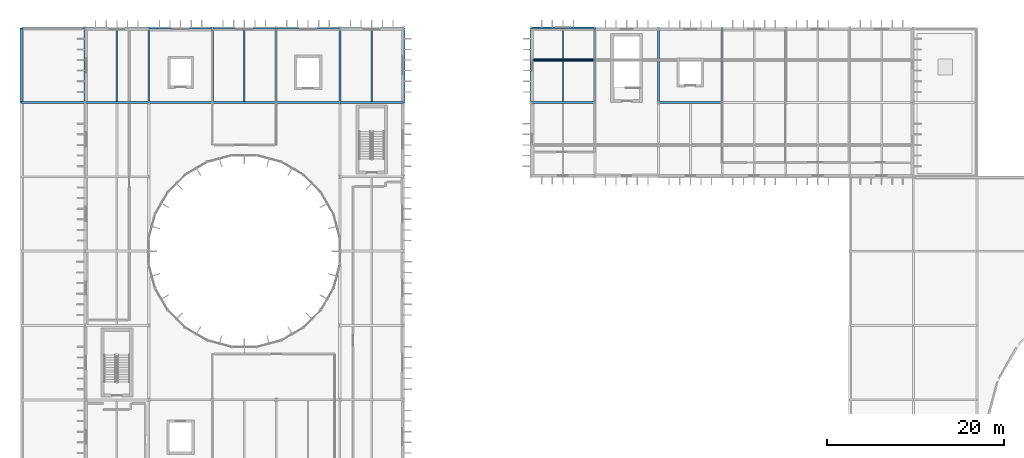
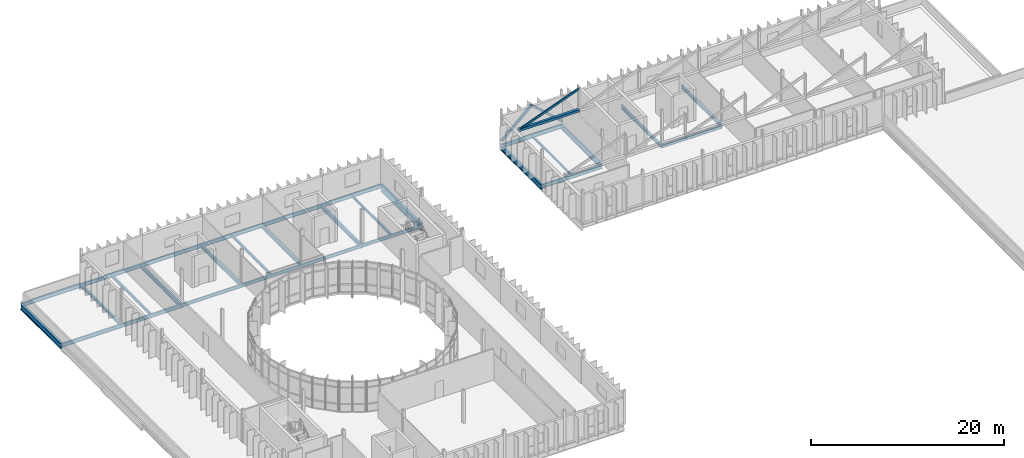
# One storey, part 24 of 52: 30 beams, 4 members.
"""IFC4 building model written with IfcOpenShell, lengths in metres."""

from ifc_helpers import new_model, si_unit, direction, frame, origin, origin_2d, place, context, subcontext, project, spatial, hollow_rectangle, i_section, extrude, material, material_profile, profile_set, type_object, element, save


model = new_model("IFC4")

# Units and contexts
model_context = context("Model", 3, precision=1e-05, world=origin(), true_north=direction((0.0, 1.0)))
body_context = subcontext(model_context, "Body", "Model", "MODEL_VIEW")
ifc_project = project(units=[si_unit("LENGTHUNIT", "METRE"), si_unit("AREAUNIT", "SQUARE_METRE"), si_unit("VOLUMEUNIT", "CUBIC_METRE"), si_unit("PLANEANGLEUNIT", "RADIAN"), si_unit("MASSUNIT", "GRAM", prefix="KILO")], contexts=[model_context])

# Site, building, storey
site_placement = place(None, origin())
site = spatial("IfcSite", under=ifc_project, at=site_placement, CompositionType="ELEMENT")
building_placement = place(site_placement, origin())
building = spatial("IfcBuilding", under=site, at=building_placement, Name="Qelthora Terrace Specialist Clinic", CompositionType="ELEMENT")
storey_placement = place(building_placement, frame((0.0, 0.0, 17.39990234375)))
storey = spatial("IfcBuildingStorey", under=building, at=storey_placement, Name="L04", CompositionType="ELEMENT", Elevation=17.39990234375)

# Beams
ifc_material = material(Name="Steel S355", Category="steel")
ifc_material_profile_1 = material_profile(ifc_material, i_section(OverallWidth=0.178955078125, OverallDepth=0.409912109375, WebThickness=0.0087890625, FlangeThickness=0.014404296875, FilletRadius=0.011962890625, at=origin_2d()), Name="W410X67")
ifc_profile_set_1 = profile_set([ifc_material_profile_1], Name="Steel S355")
beam_type_1 = type_object("IfcBeamType", Name="BM-W410X67", PredefinedType="BEAM", material=ifc_profile_set_1)
for number, where, z_axis, x_axis, name in (
    (1, (21.60009765625, 100.800048828125, -0.454833984375), (1.0, 0.0, 0.0), (0.0, 1.0, 0.0), "Girder BMX-L04-1186"),
    (2, (36.0, 100.800048828125, -0.454833984375), (1.0, 0.0, 0.0), (0.0, 1.0, 0.0), "Girder BMX-L04-1188"),
    (3, (72.0, 100.800048828125, -0.454833984375), (1.0, 0.0, 0.0), (0.0, 1.0, 0.0), "Girder BMX-L04-1190"),
):
    element("IfcBeam", number, at=place(storey_placement, frame(where, z_axis=z_axis, x_axis=x_axis)), inside=storey, type_object=beam_type_1, Name=name, PredefinedType="BEAM", context=body_context, shape_type="SweptSolid", body=[
        extrude(i_section(OverallWidth=0.178955078125, OverallDepth=0.409912109375, WebThickness=0.0087890625, FlangeThickness=0.014404296875, FilletRadius=0.011962890625, at=origin_2d()), origin(), (0.0, 0.0, 1.0), 7.199951171875),
    ])
ifc_material_profile_2 = material_profile(ifc_material, i_section(OverallWidth=0.179931640625, OverallDepth=0.4130859375, WebThickness=0.009765625, FlangeThickness=0.01611328125, FilletRadius=0.011962890625, at=origin_2d()), Name="W410X75")
ifc_profile_set_2 = profile_set([ifc_material_profile_2], Name="Steel S355")
beam_type_2 = type_object("IfcBeamType", Name="BM-W410X75", PredefinedType="BEAM", material=ifc_profile_set_2)
beam_1_placement = place(storey_placement, frame((14.39990234375, 100.800048828125, -0.456298828125), z_axis=(1.0, 0.0, 0.0), x_axis=(0.0, 1.0, 0.0)))
element("IfcBeam", 4, at=beam_1_placement, inside=storey, type_object=beam_type_2, Name="Girder BMX-L04-1185", PredefinedType="BEAM", context=body_context, shape_type="SweptSolid", body=[
    extrude(i_section(OverallWidth=0.179931640625, OverallDepth=0.4130859375, WebThickness=0.009765625, FlangeThickness=0.01611328125, FilletRadius=0.011962890625, at=origin_2d()), origin(), (0.0, 0.0, 1.0), 7.2001953125),
])
beam_2_placement = place(storey_placement, frame((28.800048828125, 100.800048828125, -0.456298828125), z_axis=(1.0, 0.0, 0.0), x_axis=(0.0, 1.0, 0.0)))
element("IfcBeam", 5, at=beam_2_placement, inside=storey, type_object=beam_type_2, Name="Girder BMX-L04-1187", PredefinedType="BEAM", context=body_context, shape_type="SweptSolid", body=[
    extrude(i_section(OverallWidth=0.179931640625, OverallDepth=0.4130859375, WebThickness=0.009765625, FlangeThickness=0.01611328125, FilletRadius=0.011962890625, at=origin_2d()), origin(), (0.0, 0.0, 1.0), 7.199951171875),
])
for number, where, z_axis, x_axis, name in (
    (6, (7.199951171875, 100.800048828125, -0.456298828125), (0.0, 1.0, 0.0), (-1.0, 0.0, 0.0), "Girder BMY-L04-1219"),
    (7, (28.800048828125, 100.800048828125, -0.456298828125), (0.0, 1.0, 0.0), (-1.0, 0.0, 0.0), "Girder BMY-L04-1229"),
    (8, (79.199951171875, 100.800048828125, -0.456298828125), (0.0, 1.0, 0.0), (-1.0, 0.0, 0.0), "Girder BMY-L04-1249"),
):
    element("IfcBeam", number, at=place(storey_placement, frame(where, z_axis=z_axis, x_axis=x_axis)), inside=storey, type_object=beam_type_2, Name=name, PredefinedType="BEAM", context=body_context, shape_type="SweptSolid", body=[
        extrude(i_section(OverallWidth=0.179931640625, OverallDepth=0.4130859375, WebThickness=0.009765625, FlangeThickness=0.01611328125, FilletRadius=0.011962890625, at=origin_2d()), origin(), (0.0, 0.0, 1.0), 8.39990234375),
    ])
ifc_material_profile_3 = material_profile(ifc_material, i_section(OverallWidth=0.19091796875, OverallDepth=0.4599609375, WebThickness=0.010009765625, FlangeThickness=0.01611328125, FilletRadius=0.012939453125, at=origin_2d()), Name="W460X82")
ifc_profile_set_3 = profile_set([ifc_material_profile_3], Name="Steel S355")
beam_type_3 = type_object("IfcBeamType", Name="BM-W460X82", PredefinedType="BEAM", material=ifc_profile_set_3)
for number, where, z_axis, x_axis, name in (
    (9, (7.199951171875, 100.800048828125, -0.47998046875), (1.0, 0.0, 0.0), (0.0, 1.0, 0.0), "Girder BMX-L04-1184"),
    (10, (57.60009765625, 100.800048828125, -0.47998046875), (1.0, 0.0, 0.0), (0.0, 1.0, 0.0), "Girder BMX-L04-1189"),
):
    element("IfcBeam", number, at=place(storey_placement, frame(where, z_axis=z_axis, x_axis=x_axis)), inside=storey, type_object=beam_type_3, Name=name, PredefinedType="BEAM", context=body_context, shape_type="SweptSolid", body=[
        extrude(i_section(OverallWidth=0.19091796875, OverallDepth=0.4599609375, WebThickness=0.010009765625, FlangeThickness=0.01611328125, FilletRadius=0.012939453125, at=origin_2d()), origin(), (0.0, 0.0, 1.0), 7.199951171875),
    ])
ifc_material_profile_4 = material_profile(ifc_material, i_section(OverallWidth=0.193115234375, OverallDepth=0.466064453125, WebThickness=0.011474609375, FlangeThickness=0.01904296875, FilletRadius=0.012939453125, at=origin_2d()), Name="W460X97")
ifc_profile_set_4 = profile_set([ifc_material_profile_4], Name="Steel S355")
beam_type_4 = type_object("IfcBeamType", Name="BM-W460X97", PredefinedType="BEAM", material=ifc_profile_set_4)
beam_3_placement = place(storey_placement, frame((0.0, 100.800048828125, -0.48291015625), z_axis=(1.0, 0.0, 0.0), x_axis=(0.0, 1.0, 0.0)))
element("IfcBeam", 11, at=beam_3_placement, inside=storey, type_object=beam_type_4, Name="Girder BMX-L04-1183", PredefinedType="BEAM", context=body_context, shape_type="SweptSolid", body=[
    extrude(i_section(OverallWidth=0.193115234375, OverallDepth=0.466064453125, WebThickness=0.011474609375, FlangeThickness=0.01904296875, FilletRadius=0.012939453125, at=origin_2d()), origin(), (0.0, 0.0, 1.0), 7.199951171875),
])
for number, where, z_axis, x_axis, name in (
    (12, (21.60009765625, 100.800048828125, -0.48291015625), (0.0, 1.0, 0.0), (-1.0, 0.0, 0.0), "Girder BMY-L04-1227"),
    (13, (72.0, 100.800048828125, -0.48291015625), (0.0, 1.0, 0.0), (-1.0, 0.0, 0.0), "Girder BMY-L04-1247"),
):
    element("IfcBeam", number, at=place(storey_placement, frame(where, z_axis=z_axis, x_axis=x_axis)), inside=storey, type_object=beam_type_4, Name=name, PredefinedType="BEAM", context=body_context, shape_type="SweptSolid", body=[
        extrude(i_section(OverallWidth=0.193115234375, OverallDepth=0.466064453125, WebThickness=0.011474609375, FlangeThickness=0.01904296875, FilletRadius=0.012939453125, at=origin_2d()), origin(), (0.0, 0.0, 1.0), 8.39990234375),
    ])
ifc_material_profile_5 = material_profile(ifc_material, i_section(OverallWidth=0.2119140625, OverallDepth=0.5439453125, WebThickness=0.01318359375, FlangeThickness=0.021240234375, FilletRadius=0.013916015625, at=origin_2d()), Name="W530X123")
ifc_profile_set_5 = profile_set([ifc_material_profile_5], Name="Steel S355")
beam_type_5 = type_object("IfcBeamType", Name="BM-W530X123", PredefinedType="BEAM", material=ifc_profile_set_5)
for number, where, z_axis, x_axis, name in (
    (14, (14.39990234375, 100.800048828125, -0.52197265625), (0.0, 1.0, 0.0), (-1.0, 0.0, 0.0), "Girder BMY-L04-1225"),
    (15, (36.0, 100.800048828125, -0.52197265625), (0.0, 1.0, 0.0), (-1.0, 0.0, 0.0), "Girder BMY-L04-1235"),
    (16, (64.800048828125, 100.800048828125, -0.52197265625), (0.0, 1.0, 0.0), (-1.0, 0.0, 0.0), "Girder BMY-L04-1245"),
):
    element("IfcBeam", number, at=place(storey_placement, frame(where, z_axis=z_axis, x_axis=x_axis)), inside=storey, type_object=beam_type_5, Name=name, PredefinedType="BEAM", context=body_context, shape_type="SweptSolid", body=[
        extrude(i_section(OverallWidth=0.2119140625, OverallDepth=0.5439453125, WebThickness=0.01318359375, FlangeThickness=0.021240234375, FilletRadius=0.013916015625, at=origin_2d()), origin(), (0.0, 0.0, 1.0), 8.39990234375),
    ])
ifc_material_profile_6 = material_profile(ifc_material, i_section(OverallWidth=0.256103515625, OverallDepth=0.693115234375, WebThickness=0.014404296875, FlangeThickness=0.023681640625, FilletRadius=0.01806640625, at=origin_2d()), Name="W690X170")
ifc_profile_set_6 = profile_set([ifc_material_profile_6], Name="Steel S355")
beam_type_6 = type_object("IfcBeamType", Name="BM-W690X170", PredefinedType="BEAM", material=ifc_profile_set_6)
for number, where, z_axis, x_axis, name in (
    (17, (0.0, 100.800048828125, -0.596435546875), (0.0, 1.0, 0.0), (-1.0, 0.0, 0.0), "Girder BMY-L04-1213"),
    (18, (57.60009765625, 100.800048828125, -0.596435546875), (0.0, 1.0, 0.0), (-1.0, 0.0, 0.0), "Girder BMY-L04-1243"),
):
    element("IfcBeam", number, at=place(storey_placement, frame(where, z_axis=z_axis, x_axis=x_axis)), inside=storey, type_object=beam_type_6, Name=name, PredefinedType="BEAM", context=body_context, shape_type="SweptSolid", body=[
        extrude(i_section(OverallWidth=0.256103515625, OverallDepth=0.693115234375, WebThickness=0.014404296875, FlangeThickness=0.023681640625, FilletRadius=0.01806640625, at=origin_2d()), origin(), (0.0, 0.0, 1.0), 8.39990234375),
    ])
ifc_material_profile_7 = material_profile(ifc_material, i_section(OverallWidth=0.2939453125, OverallDepth=0.85107421875, WebThickness=0.01611328125, FlangeThickness=0.02685546875, FilletRadius=0.02001953125, at=origin_2d()), Name="W840X226")
ifc_profile_set_7 = profile_set([ifc_material_profile_7], Name="Steel S355")
beam_type_7 = type_object("IfcBeamType", Name="BM-W840X226", PredefinedType="BEAM", material=ifc_profile_set_7)
beam_4_placement = place(storey_placement, frame((43.199951171875, 100.800048828125, -0.67529296875), z_axis=(0.0, 1.0, 0.0), x_axis=(-1.0, 0.0, 0.0)))
element("IfcBeam", 19, at=beam_4_placement, inside=storey, type_object=beam_type_7, Name="Girder BMY-L04-1241", PredefinedType="BEAM", context=body_context, shape_type="SweptSolid", body=[
    extrude(i_section(OverallWidth=0.2939453125, OverallDepth=0.85107421875, WebThickness=0.01611328125, FlangeThickness=0.02685546875, FilletRadius=0.02001953125, at=origin_2d()), origin(), (0.0, 0.0, 1.0), 8.39990234375),
])
ifc_material_profile_8 = material_profile(ifc_material, i_section(OverallWidth=0.14599609375, OverallDepth=0.258056640625, WebThickness=0.006103515625, FlangeThickness=0.009033203125, FilletRadius=0.009033203125, at=origin_2d()), Name="W250X33")
ifc_profile_set_8 = profile_set([ifc_material_profile_8], Name="Steel S355")
beam_type_8 = type_object("IfcBeamType", Name="JST-W250X33", PredefinedType="JOIST", material=ifc_profile_set_8)
beam_5_placement = place(storey_placement, frame((61.199951171875, 100.8955078125, -0.37890625), z_axis=(0.0, 1.0, 0.0), x_axis=(-1.0, 0.0, 0.0)))
element("IfcBeam", 20, at=beam_5_placement, inside=storey, type_object=beam_type_8, Name="Composite floor joist JST-L04-0276", PredefinedType="JOIST", context=body_context, shape_type="SweptSolid", body=[
    extrude(i_section(OverallWidth=0.14599609375, OverallDepth=0.258056640625, WebThickness=0.006103515625, FlangeThickness=0.009033203125, FilletRadius=0.009033203125, at=origin_2d()), origin(), (0.0, 0.0, 1.0), 8.208984375),
])
ifc_material_profile_9 = material_profile(ifc_material, i_section(OverallWidth=0.166015625, OverallDepth=0.31298828125, WebThickness=0.006591796875, FlangeThickness=0.01123046875, FilletRadius=0.010009765625, at=origin_2d()), Name="W310X45")
ifc_profile_set_9 = profile_set([ifc_material_profile_9], Name="Steel S355")
beam_type_9 = type_object("IfcBeamType", Name="JST-W310X45", PredefinedType="JOIST", material=ifc_profile_set_9)
for number, where, z_axis, x_axis, name in (
    (21, (25.199951171875, 100.889404296875, -0.406494140625), (0.0, 1.0, 0.0), (-1.0, 0.0, 0.0), "Composite floor joist JST-L04-0268"),
    (22, (39.60009765625, 100.889404296875, -0.406494140625), (0.0, 1.0, 0.0), (-1.0, 0.0, 0.0), "Composite floor joist JST-L04-0274"),
):
    element("IfcBeam", number, at=place(storey_placement, frame(where, z_axis=z_axis, x_axis=x_axis)), inside=storey, type_object=beam_type_9, Name=name, PredefinedType="JOIST", context=body_context, shape_type="SweptSolid", body=[
        extrude(i_section(OverallWidth=0.166015625, OverallDepth=0.31298828125, WebThickness=0.006591796875, FlangeThickness=0.01123046875, FilletRadius=0.010009765625, at=origin_2d()), origin(), (0.0, 0.0, 1.0), 8.215087890625),
    ])
ifc_material_profile_10 = material_profile(ifc_material, i_section(OverallWidth=0.172119140625, OverallDepth=0.35791015625, WebThickness=0.0078125, FlangeThickness=0.01318359375, FilletRadius=0.010986328125, at=origin_2d()), Name="W360X57")
ifc_profile_set_10 = profile_set([ifc_material_profile_10], Name="Steel S355")
beam_type_10 = type_object("IfcBeamType", Name="JST-W360X57", PredefinedType="JOIST", material=ifc_profile_set_10)
beam_6_placement = place(storey_placement, frame((10.800048828125, 100.8955078125, -0.428955078125), z_axis=(0.0, 1.0, 0.0), x_axis=(-1.0, 0.0, 0.0)))
element("IfcBeam", 23, at=beam_6_placement, inside=storey, type_object=beam_type_10, Name="Composite floor joist JST-L04-0266", PredefinedType="JOIST", context=body_context, shape_type="SweptSolid", body=[
    extrude(i_section(OverallWidth=0.172119140625, OverallDepth=0.35791015625, WebThickness=0.0078125, FlangeThickness=0.01318359375, FilletRadius=0.010986328125, at=origin_2d()), origin(), (0.0, 0.0, 1.0), 8.208984375),
])

# Members
ifc_material_profile_11 = material_profile(ifc_material, hollow_rectangle(XDim=0.25, YDim=0.25, WallThickness=0.010009765625, at=origin_2d()), Name="HSS250X250X10")
ifc_profile_set_11 = profile_set([ifc_material_profile_11], Name="Steel S355")
member_type_1 = type_object("IfcMemberType", Name="MEM-BRACE-HSS250", PredefinedType="BRACE", material=ifc_profile_set_11)
member_1_placement = place(storey_placement, frame((57.60009765625, 109.199951171875, 0.18017578125), z_axis=(0.740203511447, 0.0, 0.672382898089), x_axis=(0.0, 1.0, 0.0)))
element("IfcMember", 24, at=member_1_placement, inside=storey, type_object=member_type_1, Name="Concentric seismic chevron brace B7-L04A", PredefinedType="BRACE", context=body_context, shape_type="SweptSolid", body=[
    extrude(hollow_rectangle(XDim=0.25, YDim=0.25, WallThickness=0.010009765625, at=origin_2d()), origin(), (0.0, 0.0, 1.0), 4.86328125),
])
member_2_placement = place(storey_placement, frame((64.800048828125, 109.199951171875, 0.18017578125), z_axis=(-0.740226205678, 0.0, 0.672357913933), x_axis=(0.0, -1.0, 0.0)))
element("IfcMember", 25, at=member_2_placement, inside=storey, type_object=member_type_1, Name="Concentric seismic chevron brace B7-L04B", PredefinedType="BRACE", context=body_context, shape_type="SweptSolid", body=[
    extrude(hollow_rectangle(XDim=0.25, YDim=0.25, WallThickness=0.010009765625, at=origin_2d()), origin(), (0.0, 0.0, 1.0), 4.863525390625),
])
ifc_material_profile_12 = material_profile(ifc_material, hollow_rectangle(XDim=0.300048828125, YDim=0.300048828125, WallThickness=0.011962890625, at=origin_2d()), Name="HSS300X300X12")
ifc_profile_set_12 = profile_set([ifc_material_profile_12], Name="Steel S355")
member_type_2 = type_object("IfcMemberType", Name="MEM-CHORD-HSS300", PredefinedType="CHORD", material=ifc_profile_set_12)
member_3_placement = place(storey_placement, frame((57.60009765625, 105.60009765625, 3.75), z_axis=(1.0, 0.0, 0.0), x_axis=(0.0, 1.0, 0.0)))
element("IfcMember", 26, at=member_3_placement, inside=storey, type_object=member_type_2, Name="Sawtooth bottom tie chord 1B", PredefinedType="CHORD", context=body_context, shape_type="SweptSolid", body=[
    extrude(hollow_rectangle(XDim=0.300048828125, YDim=0.300048828125, WallThickness=0.011962890625, at=origin_2d()), origin(), (0.0, 0.0, 1.0), 7.199951171875),
])
ifc_material_profile_13 = material_profile(ifc_material, hollow_rectangle(XDim=0.14990234375, YDim=0.25, WallThickness=0.010009765625, at=origin_2d()), Name="HSS250X150X10")
ifc_profile_set_13 = profile_set([ifc_material_profile_13], Name="Steel S355")
member_type_3 = type_object("IfcMemberType", Name="MEM-RAFTER-HSS250", PredefinedType="RAFTER", material=ifc_profile_set_13)
member_4_placement = place(storey_placement, frame((57.60009765625, 105.60009765625, 3.75), z_axis=(0.935891555567, 0.0, 0.352288228895), x_axis=(0.0, 1.0, 0.0)))
element("IfcMember", 27, at=member_4_placement, inside=storey, type_object=member_type_3, Name="Sawtooth steel rafter 1B", PredefinedType="RAFTER", context=body_context, shape_type="SweptSolid", body=[
    extrude(hollow_rectangle(XDim=0.14990234375, YDim=0.25, WallThickness=0.010009765625, at=origin_2d()), origin(), (0.0, 0.0, 1.0), 7.693115234375),
])

# Beams
ifc_material_profile_14 = material_profile(ifc_material, i_section(OverallWidth=0.19091796875, OverallDepth=0.4599609375, WebThickness=0.010009765625, FlangeThickness=0.01611328125, FilletRadius=0.012939453125, at=origin_2d()), Name="W460X82")
ifc_profile_set_14 = profile_set([ifc_material_profile_14], Name="Steel S355")
beam_type_11 = type_object("IfcBeamType", Name="SPD-W460X82", PredefinedType="SPANDREL", material=ifc_profile_set_14)
for number, where, z_axis, x_axis, name in (
    (28, (0.0, 109.199951171875, -0.47998046875), (1.0, 0.0, 0.0), (0.0, 1.0, 0.0), "Girder BMX-L04-1195"),
    (29, (7.199951171875, 109.199951171875, -0.47998046875), (1.0, 0.0, 0.0), (0.0, 1.0, 0.0), "Girder BMX-L04-1196"),
):
    element("IfcBeam", number, at=place(storey_placement, frame(where, z_axis=z_axis, x_axis=x_axis)), inside=storey, type_object=beam_type_11, Name=name, PredefinedType="SPANDREL", context=body_context, shape_type="SweptSolid", body=[
        extrude(i_section(OverallWidth=0.19091796875, OverallDepth=0.4599609375, WebThickness=0.010009765625, FlangeThickness=0.01611328125, FilletRadius=0.012939453125, at=origin_2d()), origin(), (0.0, 0.0, 1.0), 7.199951171875),
    ])
beam_7_placement = place(storey_placement, frame((14.39990234375, 109.199951171875, -0.47998046875), z_axis=(1.0, 0.0, 0.0), x_axis=(0.0, 1.0, 0.0)))
element("IfcBeam", 30, at=beam_7_placement, inside=storey, type_object=beam_type_11, Name="Girder BMX-L04-1197", PredefinedType="SPANDREL", context=body_context, shape_type="SweptSolid", body=[
    extrude(i_section(OverallWidth=0.19091796875, OverallDepth=0.4599609375, WebThickness=0.010009765625, FlangeThickness=0.01611328125, FilletRadius=0.012939453125, at=origin_2d()), origin(), (0.0, 0.0, 1.0), 7.2001953125),
])
for number, where, z_axis, x_axis, name in (
    (31, (21.60009765625, 109.199951171875, -0.47998046875), (1.0, 0.0, 0.0), (0.0, 1.0, 0.0), "Girder BMX-L04-1198"),
    (32, (28.800048828125, 109.199951171875, -0.47998046875), (1.0, 0.0, 0.0), (0.0, 1.0, 0.0), "Girder BMX-L04-1199"),
    (33, (36.0, 109.199951171875, -0.47998046875), (1.0, 0.0, 0.0), (0.0, 1.0, 0.0), "Girder BMX-L04-1200"),
    (34, (57.60009765625, 109.199951171875, -0.47998046875), (1.0, 0.0, 0.0), (0.0, 1.0, 0.0), "Girder BMX-L04-1201"),
):
    element("IfcBeam", number, at=place(storey_placement, frame(where, z_axis=z_axis, x_axis=x_axis)), inside=storey, type_object=beam_type_11, Name=name, PredefinedType="SPANDREL", context=body_context, shape_type="SweptSolid", body=[
        extrude(i_section(OverallWidth=0.19091796875, OverallDepth=0.4599609375, WebThickness=0.010009765625, FlangeThickness=0.01611328125, FilletRadius=0.012939453125, at=origin_2d()), origin(), (0.0, 0.0, 1.0), 7.199951171875),
    ])

save(model, "model.ifc")
